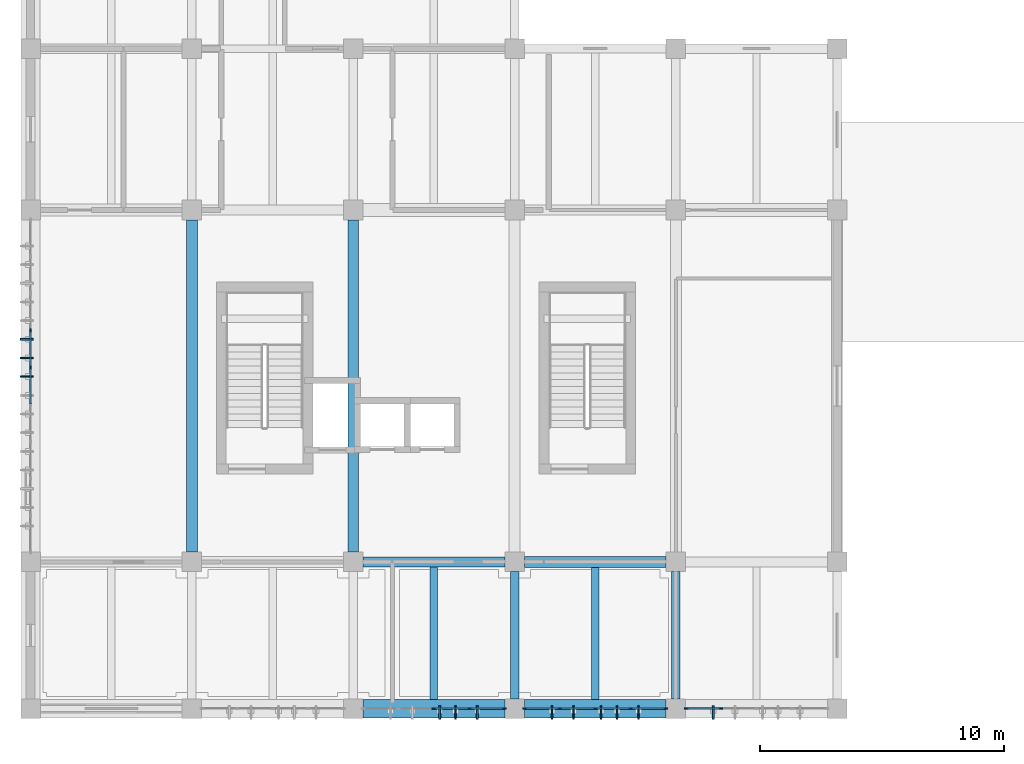
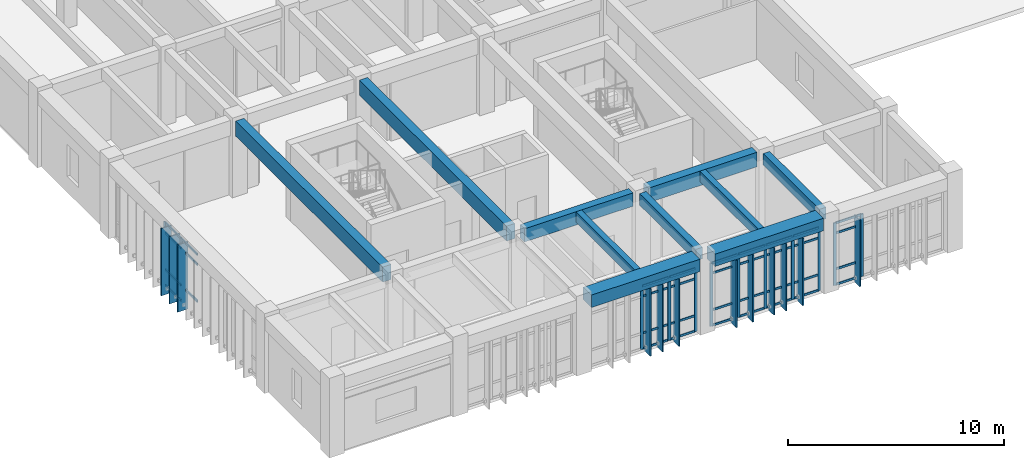
# One storey, part 3 of 34: 59 members, 10 beams, 4 elements without a shape of their own.
"""IFC4 building model written with IfcOpenShell, lengths in metres."""

from ifc_helpers import new_model, si_unit, direction, frame, origin, origin_2d, place, context, subcontext, project, spatial, rectangle, extrude, material, layer, layer_set, material_profile, profile_set, type_object, element, aggregate, save


model = new_model("IFC4")

# Units and contexts
model_context = context("Model", 3, precision=1e-05, world=origin(), true_north=direction((0.0, 1.0)))
body_context = subcontext(model_context, "Body", "Model", "MODEL_VIEW")
ifc_project = project(units=[si_unit("LENGTHUNIT", "METRE"), si_unit("AREAUNIT", "SQUARE_METRE"), si_unit("VOLUMEUNIT", "CUBIC_METRE"), si_unit("PLANEANGLEUNIT", "RADIAN"), si_unit("MASSUNIT", "GRAM", prefix="KILO")], contexts=[model_context])

# Site, building, storey
site_placement = place(None, origin())
site = spatial("IfcSite", under=ifc_project, at=site_placement, CompositionType="ELEMENT")
building_placement = place(site_placement, origin())
building = spatial("IfcBuilding", under=site, at=building_placement, Name="Miralva Faculty of Natural Sciences", CompositionType="ELEMENT")
storey_placement = place(building_placement, frame((0.0, 0.0, 24.0)))
storey = spatial("IfcBuildingStorey", under=building, at=storey_placement, Name="L05", CompositionType="ELEMENT", Elevation=24.0)

# Beams
ifc_material_1 = material(Name="Concrete C40/50", Category="concrete")
ifc_material_profile_1 = material_profile(ifc_material_1, rectangle(XDim=0.449951171875, YDim=0.85009765625, at=origin_2d()), Name="RC 450x850")
ifc_profile_set_1 = profile_set([ifc_material_profile_1], Name="Concrete C40/50")
beam_type_1 = type_object("IfcBeamType", Name="BM-B01", PredefinedType="BEAM", material=ifc_profile_set_1)
for number, where, z_axis, x_axis, name in (
    (1, (9.60009765625, 9.39990234375, 3.85498046875), (0.0, 1.0, 0.0), (-1.0, 0.0, 0.0), "Girder NS L05-40"),
    (2, (16.199951171875, 9.39990234375, 3.85498046875), (0.0, 1.0, 0.0), (-1.0, 0.0, 0.0), "Girder NS L05-48"),
):
    element("IfcBeam", number, at=place(storey_placement, frame(where, z_axis=z_axis, x_axis=x_axis)), inside=storey, type_object=beam_type_1, Name=name, PredefinedType="BEAM", context=body_context, shape_type="SweptSolid", body=[
        extrude(rectangle(XDim=0.449951171875, YDim=0.85009765625, at=origin_2d()), origin(), (0.0, 0.0, 1.0), 13.60009765625),
    ])
ifc_material_profile_2 = material_profile(ifc_material_1, rectangle(XDim=0.39990234375, YDim=0.75, at=origin_2d()), Name="RC 400x750")
ifc_profile_set_2 = profile_set([ifc_material_profile_2], Name="Concrete C40/50")
beam_type_2 = type_object("IfcBeamType", Name="BM-B03", PredefinedType="BEAM", material=ifc_profile_set_2)
beam_1_placement = place(storey_placement, frame((16.60009765625, 9.0, 3.905029296875), z_axis=(1.0, 0.0, 0.0), x_axis=(0.0, 1.0, 0.0)))
element("IfcBeam", 3, at=beam_1_placement, inside=storey, type_object=beam_type_2, Name="Girder EW L05-8", PredefinedType="BEAM", context=body_context, shape_type="SweptSolid", body=[
    extrude(rectangle(XDim=0.39990234375, YDim=0.75, at=origin_2d()), origin(), (0.0, 0.0, 1.0), 5.7998046875),
])
ifc_material_profile_3 = material_profile(ifc_material_1, rectangle(XDim=0.35009765625, YDim=0.64990234375, at=origin_2d()), Name="RC 350x650")
ifc_profile_set_3 = profile_set([ifc_material_profile_3], Name="Concrete C40/50")
beam_type_3 = type_object("IfcBeamType", Name="BM-B05", PredefinedType="BEAM", material=ifc_profile_set_3)
for number, where, z_axis, x_axis, name in (
    (4, (22.800048828125, 3.39990234375, 3.955078125), (0.0, 1.0, 0.0), (-1.0, 0.0, 0.0), "Girder NS L05-50"),
    (5, (29.39990234375, 3.39990234375, 3.905029296875), (0.0, 1.0, 0.0), (-1.0, 0.0, 0.0), "Girder NS L05-58"),
):
    element("IfcBeam", number, at=place(storey_placement, frame(where, z_axis=z_axis, x_axis=x_axis)), inside=storey, type_object=beam_type_3, Name=name, PredefinedType="BEAM", context=body_context, shape_type="SweptSolid", body=[
        extrude(rectangle(XDim=0.35009765625, YDim=0.64990234375, at=origin_2d()), origin(), (0.0, 0.0, 1.0), 5.2001953125),
    ])
ifc_material_profile_4 = material_profile(ifc_material_1, rectangle(XDim=0.4599609375, YDim=0.820068359375, at=origin_2d()), Name="RC 460x820")
ifc_profile_set_4 = profile_set([ifc_material_profile_4], Name="Concrete C40/50")
beam_type_4 = type_object("IfcBeamType", Name="BM-BG15", PredefinedType="BEAM", material=ifc_profile_set_4)
beam_2_placement = place(storey_placement, frame((23.199951171875, 9.0, 3.8701171875), z_axis=(1.0, 0.0, 0.0), x_axis=(0.0, 1.0, 0.0)))
element("IfcBeam", 6, at=beam_2_placement, inside=storey, type_object=beam_type_4, Name="Girder EW L05-9", PredefinedType="BEAM", context=body_context, shape_type="SweptSolid", body=[
    extrude(rectangle(XDim=0.4599609375, YDim=0.820068359375, at=origin_2d()), origin(), (0.0, 0.0, 1.0), 5.800048828125),
])
ifc_material_profile_5 = material_profile(ifc_material_1, rectangle(XDim=0.300048828125, YDim=0.60009765625, at=origin_2d()), Name="RC 300x600")
ifc_profile_set_5 = profile_set([ifc_material_profile_5], Name="Concrete C40/50")
beam_type_5 = type_object("IfcBeamType", Name="BM-J01", PredefinedType="JOIST", material=ifc_profile_set_5)
beam_3_placement = place(storey_placement, frame((19.5, 3.375, 3.97998046875), z_axis=(0.0, 1.0, 0.0), x_axis=(-1.0, 0.0, 0.0)))
element("IfcBeam", 7, at=beam_3_placement, inside=storey, type_object=beam_type_5, Name="Floor joist L05-3", PredefinedType="JOIST", context=body_context, shape_type="SweptSolid", body=[
    extrude(rectangle(XDim=0.300048828125, YDim=0.60009765625, at=origin_2d()), origin(), (0.0, 0.0, 1.0), 5.425048828125),
])
beam_4_placement = place(storey_placement, frame((26.10009765625, 3.375, 3.97998046875), z_axis=(0.0, 1.0, 0.0), x_axis=(-1.0, 0.0, 0.0)))
element("IfcBeam", 8, at=beam_4_placement, inside=storey, type_object=beam_type_5, Name="Floor joist L05-4", PredefinedType="JOIST", context=body_context, shape_type="SweptSolid", body=[
    extrude(rectangle(XDim=0.300048828125, YDim=0.60009765625, at=origin_2d()), origin(), (0.0, 0.0, 1.0), 5.39501953125),
])
ifc_material_profile_6 = material_profile(ifc_material_1, rectangle(XDim=0.75, YDim=0.699951171875, at=origin_2d()), Name="RC 750x700")
ifc_profile_set_6 = profile_set([ifc_material_profile_6], Name="Concrete C40/50")
beam_type_6 = type_object("IfcBeamType", Name="BM-SP01", PredefinedType="SPANDREL", material=ifc_profile_set_6)
beam_5_placement = place(storey_placement, frame((16.60009765625, 3.0, 3.929931640625), z_axis=(1.0, 0.0, 0.0), x_axis=(0.0, 1.0, 0.0)))
element("IfcBeam", 9, at=beam_5_placement, inside=storey, type_object=beam_type_6, Name="Girder EW L05-3", PredefinedType="SPANDREL", context=body_context, shape_type="SweptSolid", body=[
    extrude(rectangle(XDim=0.75, YDim=0.699951171875, at=origin_2d()), origin(), (0.0, 0.0, 1.0), 5.7998046875),
])
beam_6_placement = place(storey_placement, frame((23.199951171875, 3.0, 3.929931640625), z_axis=(1.0, 0.0, 0.0), x_axis=(0.0, 1.0, 0.0)))
element("IfcBeam", 10, at=beam_6_placement, inside=storey, type_object=beam_type_6, Name="Girder EW L05-4", PredefinedType="SPANDREL", context=body_context, shape_type="SweptSolid", body=[
    extrude(rectangle(XDim=0.75, YDim=0.699951171875, at=origin_2d()), origin(), (0.0, 0.0, 1.0), 5.800048828125),
])

# Curtain wall, members
ifc_material_2 = material(Name="Laminated solar-control glass", Category="glass")
ifc_layer = layer(ifc_material_2, 0.179931640625, Name="CW-TWR-L03")
ifc_layer_set = layer_set([ifc_layer], Name="Laminated solar-control glass")
curtain_wall_type = type_object("IfcCurtainWallType", Name="CW-TWR-L03", PredefinedType="USERDEFINED", material=ifc_layer_set)
curtain_wall_1_placement = place(storey_placement, origin())
curtain_wall_1 = element("IfcCurtainWall", 11, at=curtain_wall_1_placement, inside=storey, type_object=curtain_wall_type, Name="Curtain wall CW-14 L05-235", ObjectType="UNITISED CURTAIN WALL", PredefinedType="USERDEFINED")
ifc_material_3 = material(Name="Anodised aluminium", Category="aluminium")
ifc_material_profile_7 = material_profile(ifc_material_3, rectangle(XDim=0.06494140625, YDim=0.159912109375, at=origin_2d()), Name="MULLION 65x160")
ifc_profile_set_7 = profile_set([ifc_material_profile_7], Name="Anodised aluminium")
member_type_1 = type_object("IfcMemberType", Name="CW-M02", PredefinedType="MULLION", material=ifc_profile_set_7)
member_1_placement = place(storey_placement, frame((19.5, 3.0, 0.0), z_axis=(0.0, 0.0, 1.0), x_axis=(0.0, 1.0, 0.0)))
member_1 = element("IfcMember", 12, at=member_1_placement, type_object=member_type_1, Name="CW-14 mullion 3", PredefinedType="MULLION", context=body_context, shape_type="SweptSolid", body=[
    extrude(rectangle(XDim=0.06494140625, YDim=0.159912109375, at=origin_2d()), origin(), (0.0, 0.0, 1.0), 3.574951171875),
])
member_2_placement = place(storey_placement, frame((20.95751953125, 3.0, 0.0), z_axis=(0.0, 0.0, 1.0), x_axis=(0.0, 1.0, 0.0)))
member_2 = element("IfcMember", 13, at=member_2_placement, type_object=member_type_1, Name="CW-14 mullion 4", PredefinedType="MULLION", context=body_context, shape_type="SweptSolid", body=[
    extrude(rectangle(XDim=0.06494140625, YDim=0.159912109375, at=origin_2d()), origin(), (0.0, 0.0, 1.0), 3.574951171875),
])
member_3_placement = place(storey_placement, frame((22.382568359375, 3.0, 0.0), z_axis=(0.0, 0.0, 1.0), x_axis=(0.0, 1.0, 0.0)))
member_3 = element("IfcMember", 14, at=member_3_placement, type_object=member_type_1, Name="CW-14 mullion 5", PredefinedType="MULLION", context=body_context, shape_type="SweptSolid", body=[
    extrude(rectangle(XDim=0.06494140625, YDim=0.159912109375, at=origin_2d()), origin(), (0.0, 0.0, 1.0), 3.574951171875),
])

curtain_wall_2_placement = place(storey_placement, origin())
curtain_wall_2 = element("IfcCurtainWall", 15, at=curtain_wall_2_placement, inside=storey, type_object=curtain_wall_type, Name="Curtain wall CW-14 L05-236", ObjectType="UNITISED CURTAIN WALL", PredefinedType="USERDEFINED")
member_4_placement = place(storey_placement, frame((23.217529296875, 3.0, 0.0), z_axis=(0.0, 0.0, 1.0), x_axis=(0.0, 1.0, 0.0)))
member_4 = element("IfcMember", 16, at=member_4_placement, type_object=member_type_1, Name="CW-14 mullion 1", PredefinedType="MULLION", context=body_context, shape_type="SweptSolid", body=[
    extrude(rectangle(XDim=0.06494140625, YDim=0.159912109375, at=origin_2d()), origin(), (0.0, 0.0, 1.0), 3.574951171875),
])
member_5_placement = place(storey_placement, frame((24.642578125, 3.0, 0.0), z_axis=(0.0, 0.0, 1.0), x_axis=(0.0, 1.0, 0.0)))
member_5 = element("IfcMember", 17, at=member_5_placement, type_object=member_type_1, Name="CW-14 mullion 2", PredefinedType="MULLION", context=body_context, shape_type="SweptSolid", body=[
    extrude(rectangle(XDim=0.06494140625, YDim=0.159912109375, at=origin_2d()), origin(), (0.0, 0.0, 1.0), 3.574951171875),
])
member_6_placement = place(storey_placement, frame((26.10009765625, 3.0, 0.0), z_axis=(0.0, 0.0, 1.0), x_axis=(0.0, 1.0, 0.0)))
member_6 = element("IfcMember", 18, at=member_6_placement, type_object=member_type_1, Name="CW-14 mullion 3", PredefinedType="MULLION", context=body_context, shape_type="SweptSolid", body=[
    extrude(rectangle(XDim=0.06494140625, YDim=0.159912109375, at=origin_2d()), origin(), (0.0, 0.0, 1.0), 3.574951171875),
])
member_7_placement = place(storey_placement, frame((27.5576171875, 3.0, 0.0), z_axis=(0.0, 0.0, 1.0), x_axis=(0.0, 1.0, 0.0)))
member_7 = element("IfcMember", 19, at=member_7_placement, type_object=member_type_1, Name="CW-14 mullion 4", PredefinedType="MULLION", context=body_context, shape_type="SweptSolid", body=[
    extrude(rectangle(XDim=0.06494140625, YDim=0.159912109375, at=origin_2d()), origin(), (0.0, 0.0, 1.0), 3.574951171875),
])
member_8_placement = place(storey_placement, frame((28.982421875, 3.0, 0.0), z_axis=(0.0, 0.0, 1.0), x_axis=(0.0, 1.0, 0.0)))
member_8 = element("IfcMember", 20, at=member_8_placement, type_object=member_type_1, Name="CW-14 mullion 5", PredefinedType="MULLION", context=body_context, shape_type="SweptSolid", body=[
    extrude(rectangle(XDim=0.06494140625, YDim=0.159912109375, at=origin_2d()), origin(), (0.0, 0.0, 1.0), 3.574951171875),
])

curtain_wall_3_placement = place(storey_placement, origin())
curtain_wall_3 = element("IfcCurtainWall", 21, at=curtain_wall_3_placement, inside=storey, type_object=curtain_wall_type, Name="Curtain wall CW-14 L05-237", ObjectType="UNITISED CURTAIN WALL", PredefinedType="USERDEFINED")
member_9_placement = place(storey_placement, frame((29.8173828125, 3.0, 0.0), z_axis=(0.0, 0.0, 1.0), x_axis=(0.0, 1.0, 0.0)))
member_9 = element("IfcMember", 22, at=member_9_placement, type_object=member_type_1, Name="CW-14 mullion 1", PredefinedType="MULLION", context=body_context, shape_type="SweptSolid", body=[
    extrude(rectangle(XDim=0.06494140625, YDim=0.159912109375, at=origin_2d()), origin(), (0.0, 0.0, 1.0), 3.52490234375),
])
member_10_placement = place(storey_placement, frame((31.242431640625, 3.0, 0.0), z_axis=(0.0, 0.0, 1.0), x_axis=(0.0, 1.0, 0.0)))
member_10 = element("IfcMember", 23, at=member_10_placement, type_object=member_type_1, Name="CW-14 mullion 2", PredefinedType="MULLION", context=body_context, shape_type="SweptSolid", body=[
    extrude(rectangle(XDim=0.06494140625, YDim=0.159912109375, at=origin_2d()), origin(), (0.0, 0.0, 1.0), 3.52490234375),
])

curtain_wall_4_placement = place(storey_placement, origin())
curtain_wall_4 = element("IfcCurtainWall", 24, at=curtain_wall_4_placement, inside=storey, type_object=curtain_wall_type, Name="Curtain wall CW-14 L05-238", ObjectType="UNITISED CURTAIN WALL", PredefinedType="USERDEFINED")
member_11_placement = place(storey_placement, frame((3.0, 16.957275390625, 0.0), z_axis=(0.0, 0.0, 1.0), x_axis=(-1.0, 0.0, 0.0)))
member_11 = element("IfcMember", 25, at=member_11_placement, type_object=member_type_1, Name="CW-14 mullion 6", PredefinedType="MULLION", context=body_context, shape_type="SweptSolid", body=[
    extrude(rectangle(XDim=0.06494140625, YDim=0.159912109375, at=origin_2d()), origin(), (0.0, 0.0, 1.0), 3.574951171875),
])
member_12_placement = place(storey_placement, frame((3.0, 18.4716796875, 0.0), z_axis=(0.0, 0.0, 1.0), x_axis=(-1.0, 0.0, 0.0)))
member_12 = element("IfcMember", 26, at=member_12_placement, type_object=member_type_1, Name="CW-14 mullion 7", PredefinedType="MULLION", context=body_context, shape_type="SweptSolid", body=[
    extrude(rectangle(XDim=0.06494140625, YDim=0.159912109375, at=origin_2d()), origin(), (0.0, 0.0, 1.0), 3.574951171875),
])

# Member
ifc_material_profile_8 = material_profile(ifc_material_3, rectangle(XDim=0.06005859375, YDim=0.1201171875, at=origin_2d()), Name="TRANSOM 60x120")
ifc_profile_set_8 = profile_set([ifc_material_profile_8], Name="Anodised aluminium")
member_type_2 = type_object("IfcMemberType", Name="CW-T02", PredefinedType="USERDEFINED", material=ifc_profile_set_8)
member_13_placement = place(storey_placement, frame((19.532470703125, 3.0, 0.030029296875), z_axis=(1.0, 0.0, 0.0), x_axis=(0.0, 1.0, 0.0)))
member_13 = element("IfcMember", 27, at=member_13_placement, type_object=member_type_2, Name="CW-14 transom 3.1", ObjectType="TRANSOM", PredefinedType="USERDEFINED", context=body_context, shape_type="SweptSolid", body=[
    extrude(rectangle(XDim=0.06005859375, YDim=0.1201171875, at=origin_2d()), origin(), (0.0, 0.0, 1.0), 1.392578125),
])

member_14_placement = place(storey_placement, frame((19.532470703125, 3.0, 0.89990234375), z_axis=(1.0, 0.0, 0.0), x_axis=(0.0, 1.0, 0.0)))
member_14 = element("IfcMember", 28, at=member_14_placement, type_object=member_type_2, Name="CW-14 transom 3.2", ObjectType="TRANSOM", PredefinedType="USERDEFINED", context=body_context, shape_type="SweptSolid", body=[
    extrude(rectangle(XDim=0.06005859375, YDim=0.1201171875, at=origin_2d()), origin(), (0.0, 0.0, 1.0), 1.392578125),
])

member_15_placement = place(storey_placement, frame((19.532470703125, 3.0, 2.97509765625), z_axis=(1.0, 0.0, 0.0), x_axis=(0.0, 1.0, 0.0)))
member_15 = element("IfcMember", 29, at=member_15_placement, type_object=member_type_2, Name="CW-14 transom 3.3", ObjectType="TRANSOM", PredefinedType="USERDEFINED", context=body_context, shape_type="SweptSolid", body=[
    extrude(rectangle(XDim=0.06005859375, YDim=0.1201171875, at=origin_2d()), origin(), (0.0, 0.0, 1.0), 1.392578125),
])

member_16_placement = place(storey_placement, frame((19.532470703125, 3.0, 3.544921875), z_axis=(1.0, 0.0, 0.0), x_axis=(0.0, 1.0, 0.0)))
member_16 = element("IfcMember", 30, at=member_16_placement, type_object=member_type_2, Name="CW-14 transom 3.4", ObjectType="TRANSOM", PredefinedType="USERDEFINED", context=body_context, shape_type="SweptSolid", body=[
    extrude(rectangle(XDim=0.06005859375, YDim=0.1201171875, at=origin_2d()), origin(), (0.0, 0.0, 1.0), 1.392578125),
])

member_17_placement = place(storey_placement, frame((20.989990234375, 3.0, 0.030029296875), z_axis=(1.0, 0.0, 0.0), x_axis=(0.0, 1.0, 0.0)))
member_17 = element("IfcMember", 31, at=member_17_placement, type_object=member_type_2, Name="CW-14 transom 4.1", ObjectType="TRANSOM", PredefinedType="USERDEFINED", context=body_context, shape_type="SweptSolid", body=[
    extrude(rectangle(XDim=0.06005859375, YDim=0.1201171875, at=origin_2d()), origin(), (0.0, 0.0, 1.0), 1.360107421875),
])

member_18_placement = place(storey_placement, frame((20.989990234375, 3.0, 0.89990234375), z_axis=(1.0, 0.0, 0.0), x_axis=(0.0, 1.0, 0.0)))
member_18 = element("IfcMember", 32, at=member_18_placement, type_object=member_type_2, Name="CW-14 transom 4.2", ObjectType="TRANSOM", PredefinedType="USERDEFINED", context=body_context, shape_type="SweptSolid", body=[
    extrude(rectangle(XDim=0.06005859375, YDim=0.1201171875, at=origin_2d()), origin(), (0.0, 0.0, 1.0), 1.360107421875),
])

member_19_placement = place(storey_placement, frame((20.989990234375, 3.0, 2.97509765625), z_axis=(1.0, 0.0, 0.0), x_axis=(0.0, 1.0, 0.0)))
member_19 = element("IfcMember", 33, at=member_19_placement, type_object=member_type_2, Name="CW-14 transom 4.3", ObjectType="TRANSOM", PredefinedType="USERDEFINED", context=body_context, shape_type="SweptSolid", body=[
    extrude(rectangle(XDim=0.06005859375, YDim=0.1201171875, at=origin_2d()), origin(), (0.0, 0.0, 1.0), 1.360107421875),
])

member_20_placement = place(storey_placement, frame((20.989990234375, 3.0, 3.544921875), z_axis=(1.0, 0.0, 0.0), x_axis=(0.0, 1.0, 0.0)))
member_20 = element("IfcMember", 34, at=member_20_placement, type_object=member_type_2, Name="CW-14 transom 4.4", ObjectType="TRANSOM", PredefinedType="USERDEFINED", context=body_context, shape_type="SweptSolid", body=[
    extrude(rectangle(XDim=0.06005859375, YDim=0.1201171875, at=origin_2d()), origin(), (0.0, 0.0, 1.0), 1.360107421875),
])

aggregate(curtain_wall_1, [member_1, member_2, member_3, member_13, member_14, member_15, member_16, member_17, member_18, member_19, member_20])

member_21_placement = place(storey_placement, frame((23.25, 3.0, 0.030029296875), z_axis=(1.0, 0.0, 0.0), x_axis=(0.0, 1.0, 0.0)))
member_21 = element("IfcMember", 35, at=member_21_placement, type_object=member_type_2, Name="CW-14 transom 1.1", ObjectType="TRANSOM", PredefinedType="USERDEFINED", context=body_context, shape_type="SweptSolid", body=[
    extrude(rectangle(XDim=0.06005859375, YDim=0.1201171875, at=origin_2d()), origin(), (0.0, 0.0, 1.0), 1.360107421875),
])

member_22_placement = place(storey_placement, frame((23.25, 3.0, 0.89990234375), z_axis=(1.0, 0.0, 0.0), x_axis=(0.0, 1.0, 0.0)))
member_22 = element("IfcMember", 36, at=member_22_placement, type_object=member_type_2, Name="CW-14 transom 1.2", ObjectType="TRANSOM", PredefinedType="USERDEFINED", context=body_context, shape_type="SweptSolid", body=[
    extrude(rectangle(XDim=0.06005859375, YDim=0.1201171875, at=origin_2d()), origin(), (0.0, 0.0, 1.0), 1.360107421875),
])

member_23_placement = place(storey_placement, frame((23.25, 3.0, 2.97509765625), z_axis=(1.0, 0.0, 0.0), x_axis=(0.0, 1.0, 0.0)))
member_23 = element("IfcMember", 37, at=member_23_placement, type_object=member_type_2, Name="CW-14 transom 1.3", ObjectType="TRANSOM", PredefinedType="USERDEFINED", context=body_context, shape_type="SweptSolid", body=[
    extrude(rectangle(XDim=0.06005859375, YDim=0.1201171875, at=origin_2d()), origin(), (0.0, 0.0, 1.0), 1.360107421875),
])

member_24_placement = place(storey_placement, frame((23.25, 3.0, 3.544921875), z_axis=(1.0, 0.0, 0.0), x_axis=(0.0, 1.0, 0.0)))
member_24 = element("IfcMember", 38, at=member_24_placement, type_object=member_type_2, Name="CW-14 transom 1.4", ObjectType="TRANSOM", PredefinedType="USERDEFINED", context=body_context, shape_type="SweptSolid", body=[
    extrude(rectangle(XDim=0.06005859375, YDim=0.1201171875, at=origin_2d()), origin(), (0.0, 0.0, 1.0), 1.360107421875),
])

member_25_placement = place(storey_placement, frame((24.675048828125, 3.0, 0.030029296875), z_axis=(1.0, 0.0, 0.0), x_axis=(0.0, 1.0, 0.0)))
member_25 = element("IfcMember", 39, at=member_25_placement, type_object=member_type_2, Name="CW-14 transom 2.1", ObjectType="TRANSOM", PredefinedType="USERDEFINED", context=body_context, shape_type="SweptSolid", body=[
    extrude(rectangle(XDim=0.06005859375, YDim=0.1201171875, at=origin_2d()), origin(), (0.0, 0.0, 1.0), 1.392333984375),
])

member_26_placement = place(storey_placement, frame((24.675048828125, 3.0, 0.89990234375), z_axis=(1.0, 0.0, 0.0), x_axis=(0.0, 1.0, 0.0)))
member_26 = element("IfcMember", 40, at=member_26_placement, type_object=member_type_2, Name="CW-14 transom 2.2", ObjectType="TRANSOM", PredefinedType="USERDEFINED", context=body_context, shape_type="SweptSolid", body=[
    extrude(rectangle(XDim=0.06005859375, YDim=0.1201171875, at=origin_2d()), origin(), (0.0, 0.0, 1.0), 1.392333984375),
])

member_27_placement = place(storey_placement, frame((24.675048828125, 3.0, 2.97509765625), z_axis=(1.0, 0.0, 0.0), x_axis=(0.0, 1.0, 0.0)))
member_27 = element("IfcMember", 41, at=member_27_placement, type_object=member_type_2, Name="CW-14 transom 2.3", ObjectType="TRANSOM", PredefinedType="USERDEFINED", context=body_context, shape_type="SweptSolid", body=[
    extrude(rectangle(XDim=0.06005859375, YDim=0.1201171875, at=origin_2d()), origin(), (0.0, 0.0, 1.0), 1.392333984375),
])

member_28_placement = place(storey_placement, frame((24.675048828125, 3.0, 3.544921875), z_axis=(1.0, 0.0, 0.0), x_axis=(0.0, 1.0, 0.0)))
member_28 = element("IfcMember", 42, at=member_28_placement, type_object=member_type_2, Name="CW-14 transom 2.4", ObjectType="TRANSOM", PredefinedType="USERDEFINED", context=body_context, shape_type="SweptSolid", body=[
    extrude(rectangle(XDim=0.06005859375, YDim=0.1201171875, at=origin_2d()), origin(), (0.0, 0.0, 1.0), 1.392333984375),
])

member_29_placement = place(storey_placement, frame((26.132568359375, 3.0, 0.030029296875), z_axis=(1.0, 0.0, 0.0), x_axis=(0.0, 1.0, 0.0)))
member_29 = element("IfcMember", 43, at=member_29_placement, type_object=member_type_2, Name="CW-14 transom 3.1", ObjectType="TRANSOM", PredefinedType="USERDEFINED", context=body_context, shape_type="SweptSolid", body=[
    extrude(rectangle(XDim=0.06005859375, YDim=0.1201171875, at=origin_2d()), origin(), (0.0, 0.0, 1.0), 1.392333984375),
])

member_30_placement = place(storey_placement, frame((26.132568359375, 3.0, 0.89990234375), z_axis=(1.0, 0.0, 0.0), x_axis=(0.0, 1.0, 0.0)))
member_30 = element("IfcMember", 44, at=member_30_placement, type_object=member_type_2, Name="CW-14 transom 3.2", ObjectType="TRANSOM", PredefinedType="USERDEFINED", context=body_context, shape_type="SweptSolid", body=[
    extrude(rectangle(XDim=0.06005859375, YDim=0.1201171875, at=origin_2d()), origin(), (0.0, 0.0, 1.0), 1.392333984375),
])

member_31_placement = place(storey_placement, frame((26.132568359375, 3.0, 2.97509765625), z_axis=(1.0, 0.0, 0.0), x_axis=(0.0, 1.0, 0.0)))
member_31 = element("IfcMember", 45, at=member_31_placement, type_object=member_type_2, Name="CW-14 transom 3.3", ObjectType="TRANSOM", PredefinedType="USERDEFINED", context=body_context, shape_type="SweptSolid", body=[
    extrude(rectangle(XDim=0.06005859375, YDim=0.1201171875, at=origin_2d()), origin(), (0.0, 0.0, 1.0), 1.392333984375),
])

member_32_placement = place(storey_placement, frame((26.132568359375, 3.0, 3.544921875), z_axis=(1.0, 0.0, 0.0), x_axis=(0.0, 1.0, 0.0)))
member_32 = element("IfcMember", 46, at=member_32_placement, type_object=member_type_2, Name="CW-14 transom 3.4", ObjectType="TRANSOM", PredefinedType="USERDEFINED", context=body_context, shape_type="SweptSolid", body=[
    extrude(rectangle(XDim=0.06005859375, YDim=0.1201171875, at=origin_2d()), origin(), (0.0, 0.0, 1.0), 1.392333984375),
])

member_33_placement = place(storey_placement, frame((27.590087890625, 3.0, 0.030029296875), z_axis=(1.0, 0.0, 0.0), x_axis=(0.0, 1.0, 0.0)))
member_33 = element("IfcMember", 47, at=member_33_placement, type_object=member_type_2, Name="CW-14 transom 4.1", ObjectType="TRANSOM", PredefinedType="USERDEFINED", context=body_context, shape_type="SweptSolid", body=[
    extrude(rectangle(XDim=0.06005859375, YDim=0.1201171875, at=origin_2d()), origin(), (0.0, 0.0, 1.0), 1.35986328125),
])

member_34_placement = place(storey_placement, frame((27.590087890625, 3.0, 0.89990234375), z_axis=(1.0, 0.0, 0.0), x_axis=(0.0, 1.0, 0.0)))
member_34 = element("IfcMember", 48, at=member_34_placement, type_object=member_type_2, Name="CW-14 transom 4.2", ObjectType="TRANSOM", PredefinedType="USERDEFINED", context=body_context, shape_type="SweptSolid", body=[
    extrude(rectangle(XDim=0.06005859375, YDim=0.1201171875, at=origin_2d()), origin(), (0.0, 0.0, 1.0), 1.35986328125),
])

member_35_placement = place(storey_placement, frame((27.590087890625, 3.0, 2.97509765625), z_axis=(1.0, 0.0, 0.0), x_axis=(0.0, 1.0, 0.0)))
member_35 = element("IfcMember", 49, at=member_35_placement, type_object=member_type_2, Name="CW-14 transom 4.3", ObjectType="TRANSOM", PredefinedType="USERDEFINED", context=body_context, shape_type="SweptSolid", body=[
    extrude(rectangle(XDim=0.06005859375, YDim=0.1201171875, at=origin_2d()), origin(), (0.0, 0.0, 1.0), 1.35986328125),
])

member_36_placement = place(storey_placement, frame((27.590087890625, 3.0, 3.544921875), z_axis=(1.0, 0.0, 0.0), x_axis=(0.0, 1.0, 0.0)))
member_36 = element("IfcMember", 50, at=member_36_placement, type_object=member_type_2, Name="CW-14 transom 4.4", ObjectType="TRANSOM", PredefinedType="USERDEFINED", context=body_context, shape_type="SweptSolid", body=[
    extrude(rectangle(XDim=0.06005859375, YDim=0.1201171875, at=origin_2d()), origin(), (0.0, 0.0, 1.0), 1.35986328125),
])

aggregate(curtain_wall_2, [member_4, member_5, member_6, member_7, member_8, member_21, member_22, member_23, member_24, member_25, member_26, member_27, member_28, member_29, member_30, member_31, member_32, member_33, member_34, member_35, member_36])

member_37_placement = place(storey_placement, frame((29.85009765625, 3.0, 0.030029296875), z_axis=(1.0, 0.0, 0.0), x_axis=(0.0, 1.0, 0.0)))
member_37 = element("IfcMember", 51, at=member_37_placement, type_object=member_type_2, Name="CW-14 transom 1.1", ObjectType="TRANSOM", PredefinedType="USERDEFINED", context=body_context, shape_type="SweptSolid", body=[
    extrude(rectangle(XDim=0.06005859375, YDim=0.1201171875, at=origin_2d()), origin(), (0.0, 0.0, 1.0), 1.35986328125),
])

member_38_placement = place(storey_placement, frame((29.85009765625, 3.0, 0.89990234375), z_axis=(1.0, 0.0, 0.0), x_axis=(0.0, 1.0, 0.0)))
member_38 = element("IfcMember", 52, at=member_38_placement, type_object=member_type_2, Name="CW-14 transom 1.2", ObjectType="TRANSOM", PredefinedType="USERDEFINED", context=body_context, shape_type="SweptSolid", body=[
    extrude(rectangle(XDim=0.06005859375, YDim=0.1201171875, at=origin_2d()), origin(), (0.0, 0.0, 1.0), 1.35986328125),
])

member_39_placement = place(storey_placement, frame((29.85009765625, 3.0, 2.925048828125), z_axis=(1.0, 0.0, 0.0), x_axis=(0.0, 1.0, 0.0)))
member_39 = element("IfcMember", 53, at=member_39_placement, type_object=member_type_2, Name="CW-14 transom 1.3", ObjectType="TRANSOM", PredefinedType="USERDEFINED", context=body_context, shape_type="SweptSolid", body=[
    extrude(rectangle(XDim=0.06005859375, YDim=0.1201171875, at=origin_2d()), origin(), (0.0, 0.0, 1.0), 1.35986328125),
])

member_40_placement = place(storey_placement, frame((29.85009765625, 3.0, 3.4951171875), z_axis=(1.0, 0.0, 0.0), x_axis=(0.0, 1.0, 0.0)))
member_40 = element("IfcMember", 54, at=member_40_placement, type_object=member_type_2, Name="CW-14 transom 1.4", ObjectType="TRANSOM", PredefinedType="USERDEFINED", context=body_context, shape_type="SweptSolid", body=[
    extrude(rectangle(XDim=0.06005859375, YDim=0.1201171875, at=origin_2d()), origin(), (0.0, 0.0, 1.0), 1.35986328125),
])

aggregate(curtain_wall_3, [member_9, member_10, member_37, member_38, member_39, member_40])

member_41_placement = place(storey_placement, frame((3.0, 15.475341796875, 0.89990234375), z_axis=(0.0, 1.0, 0.0), x_axis=(-1.0, 0.0, 0.0)))
member_41 = element("IfcMember", 55, at=member_41_placement, type_object=member_type_2, Name="CW-14 transom 5.2", ObjectType="TRANSOM", PredefinedType="USERDEFINED", context=body_context, shape_type="SweptSolid", body=[
    extrude(rectangle(XDim=0.06005859375, YDim=0.1201171875, at=origin_2d()), origin(), (0.0, 0.0, 1.0), 1.449462890625),
])

member_42_placement = place(storey_placement, frame((3.0, 15.475341796875, 2.97509765625), z_axis=(0.0, 1.0, 0.0), x_axis=(-1.0, 0.0, 0.0)))
member_42 = element("IfcMember", 56, at=member_42_placement, type_object=member_type_2, Name="CW-14 transom 5.3", ObjectType="TRANSOM", PredefinedType="USERDEFINED", context=body_context, shape_type="SweptSolid", body=[
    extrude(rectangle(XDim=0.06005859375, YDim=0.1201171875, at=origin_2d()), origin(), (0.0, 0.0, 1.0), 1.449462890625),
])

member_43_placement = place(storey_placement, frame((3.0, 15.475341796875, 3.544921875), z_axis=(0.0, 1.0, 0.0), x_axis=(-1.0, 0.0, 0.0)))
member_43 = element("IfcMember", 57, at=member_43_placement, type_object=member_type_2, Name="CW-14 transom 5.4", ObjectType="TRANSOM", PredefinedType="USERDEFINED", context=body_context, shape_type="SweptSolid", body=[
    extrude(rectangle(XDim=0.06005859375, YDim=0.1201171875, at=origin_2d()), origin(), (0.0, 0.0, 1.0), 1.449462890625),
])

member_44_placement = place(storey_placement, frame((3.0, 16.98974609375, 0.030029296875), z_axis=(0.0, 1.0, 0.0), x_axis=(-1.0, 0.0, 0.0)))
member_44 = element("IfcMember", 58, at=member_44_placement, type_object=member_type_2, Name="CW-14 transom 6.1", ObjectType="TRANSOM", PredefinedType="USERDEFINED", context=body_context, shape_type="SweptSolid", body=[
    extrude(rectangle(XDim=0.06005859375, YDim=0.1201171875, at=origin_2d()), origin(), (0.0, 0.0, 1.0), 1.449462890625),
])

member_45_placement = place(storey_placement, frame((3.0, 16.98974609375, 0.89990234375), z_axis=(0.0, 1.0, 0.0), x_axis=(-1.0, 0.0, 0.0)))
member_45 = element("IfcMember", 59, at=member_45_placement, type_object=member_type_2, Name="CW-14 transom 6.2", ObjectType="TRANSOM", PredefinedType="USERDEFINED", context=body_context, shape_type="SweptSolid", body=[
    extrude(rectangle(XDim=0.06005859375, YDim=0.1201171875, at=origin_2d()), origin(), (0.0, 0.0, 1.0), 1.449462890625),
])

member_46_placement = place(storey_placement, frame((3.0, 16.98974609375, 2.97509765625), z_axis=(0.0, 1.0, 0.0), x_axis=(-1.0, 0.0, 0.0)))
member_46 = element("IfcMember", 60, at=member_46_placement, type_object=member_type_2, Name="CW-14 transom 6.3", ObjectType="TRANSOM", PredefinedType="USERDEFINED", context=body_context, shape_type="SweptSolid", body=[
    extrude(rectangle(XDim=0.06005859375, YDim=0.1201171875, at=origin_2d()), origin(), (0.0, 0.0, 1.0), 1.449462890625),
])

member_47_placement = place(storey_placement, frame((3.0, 16.98974609375, 3.544921875), z_axis=(0.0, 1.0, 0.0), x_axis=(-1.0, 0.0, 0.0)))
member_47 = element("IfcMember", 61, at=member_47_placement, type_object=member_type_2, Name="CW-14 transom 6.4", ObjectType="TRANSOM", PredefinedType="USERDEFINED", context=body_context, shape_type="SweptSolid", body=[
    extrude(rectangle(XDim=0.06005859375, YDim=0.1201171875, at=origin_2d()), origin(), (0.0, 0.0, 1.0), 1.449462890625),
])

aggregate(curtain_wall_4, [member_11, member_12, member_41, member_42, member_43, member_44, member_45, member_46, member_47])

# Members
ifc_material_profile_9 = material_profile(ifc_material_3, rectangle(XDim=0.06494140625, YDim=0.550048828125, at=origin_2d()), Name="FIN 550x65")
ifc_profile_set_9 = profile_set([ifc_material_profile_9], Name="Anodised aluminium")
member_type_3 = type_object("IfcMemberType", Name="MEM-SF03", PredefinedType="USERDEFINED", material=ifc_profile_set_9)
for number, where, z_axis, x_axis, name in (
    (62, (19.739990234375, 2.840087890625, -0.219970703125), (0.0, 0.0, 1.0), (1.0, 0.0, 0.0), "Solar shading fin SF-03 L05-340"),
    (63, (20.385986328125, 2.840087890625, -0.219970703125), (0.0, 0.0, 1.0), (1.0, 0.0, 0.0), "Solar shading fin SF-03 L05-341"),
    (64, (21.27197265625, 2.840087890625, -0.219970703125), (0.0, 0.0, 1.0), (1.0, 0.0, 0.0), "Solar shading fin SF-03 L05-342"),
    (65, (24.327880859375, 2.840087890625, -0.219970703125), (0.0, 0.0, 1.0), (1.0, 0.0, 0.0), "Solar shading fin SF-03 L05-343"),
    (66, (25.214111328125, 2.840087890625, -0.219970703125), (0.0, 0.0, 1.0), (1.0, 0.0, 0.0), "Solar shading fin SF-03 L05-344"),
    (67, (26.340087890625, 2.840087890625, -0.219970703125), (0.0, 0.0, 1.0), (1.0, 0.0, 0.0), "Solar shading fin SF-03 L05-345"),
    (68, (26.986083984375, 2.840087890625, -0.219970703125), (0.0, 0.0, 1.0), (1.0, 0.0, 0.0), "Solar shading fin SF-03 L05-346"),
    (69, (27.8720703125, 2.840087890625, -0.219970703125), (0.0, 0.0, 1.0), (1.0, 0.0, 0.0), "Solar shading fin SF-03 L05-347"),
):
    element("IfcMember", number, at=place(storey_placement, frame(where, z_axis=z_axis, x_axis=x_axis)), inside=storey, type_object=member_type_3, Name=name, ObjectType="SUNSHADE", PredefinedType="USERDEFINED", context=body_context, shape_type="SweptSolid", body=[
        extrude(rectangle(XDim=0.06494140625, YDim=0.550048828125, at=origin_2d()), origin(), (0.0, 0.0, 1.0), 3.794921875),
    ])
member_48_placement = place(storey_placement, frame((30.927978515625, 2.840087890625, -0.219970703125), z_axis=(0.0, 0.0, 1.0), x_axis=(1.0, 0.0, 0.0)))
element("IfcMember", 70, at=member_48_placement, inside=storey, type_object=member_type_3, Name="Solar shading fin SF-03 L05-348", ObjectType="SUNSHADE", PredefinedType="USERDEFINED", context=body_context, shape_type="SweptSolid", body=[
    extrude(rectangle(XDim=0.06494140625, YDim=0.550048828125, at=origin_2d()), origin(), (0.0, 0.0, 1.0), 3.744873046875),
])
for number, where, z_axis, x_axis, name in (
    (71, (2.840087890625, 16.582275390625, -0.219970703125), (0.0, 0.0, 1.0), (0.0, -1.0, 0.0), "Solar shading fin SF-03 L05-361"),
    (72, (2.840087890625, 17.3466796875, -0.219970703125), (0.0, 0.0, 1.0), (0.0, -1.0, 0.0), "Solar shading fin SF-03 L05-362"),
    (73, (2.840087890625, 18.11083984375, -0.219970703125), (0.0, 0.0, 1.0), (0.0, -1.0, 0.0), "Solar shading fin SF-03 L05-363"),
):
    element("IfcMember", number, at=place(storey_placement, frame(where, z_axis=z_axis, x_axis=x_axis)), inside=storey, type_object=member_type_3, Name=name, ObjectType="SUNSHADE", PredefinedType="USERDEFINED", context=body_context, shape_type="SweptSolid", body=[
        extrude(rectangle(XDim=0.06494140625, YDim=0.550048828125, at=origin_2d()), origin(), (0.0, 0.0, 1.0), 3.794921875),
    ])

save(model, "model.ifc")
